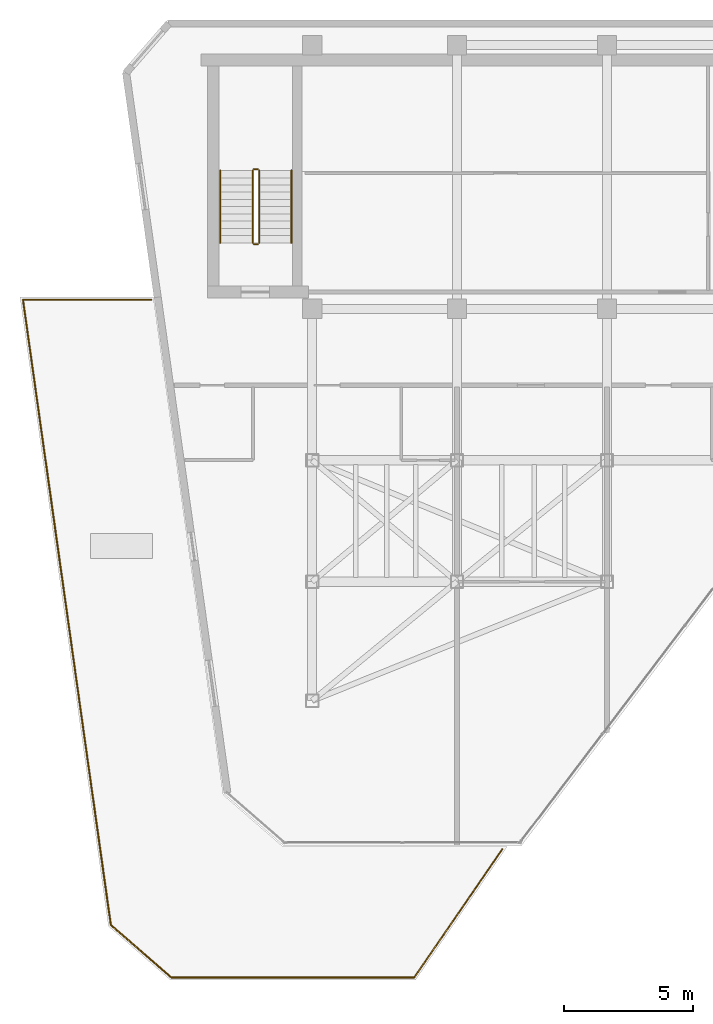
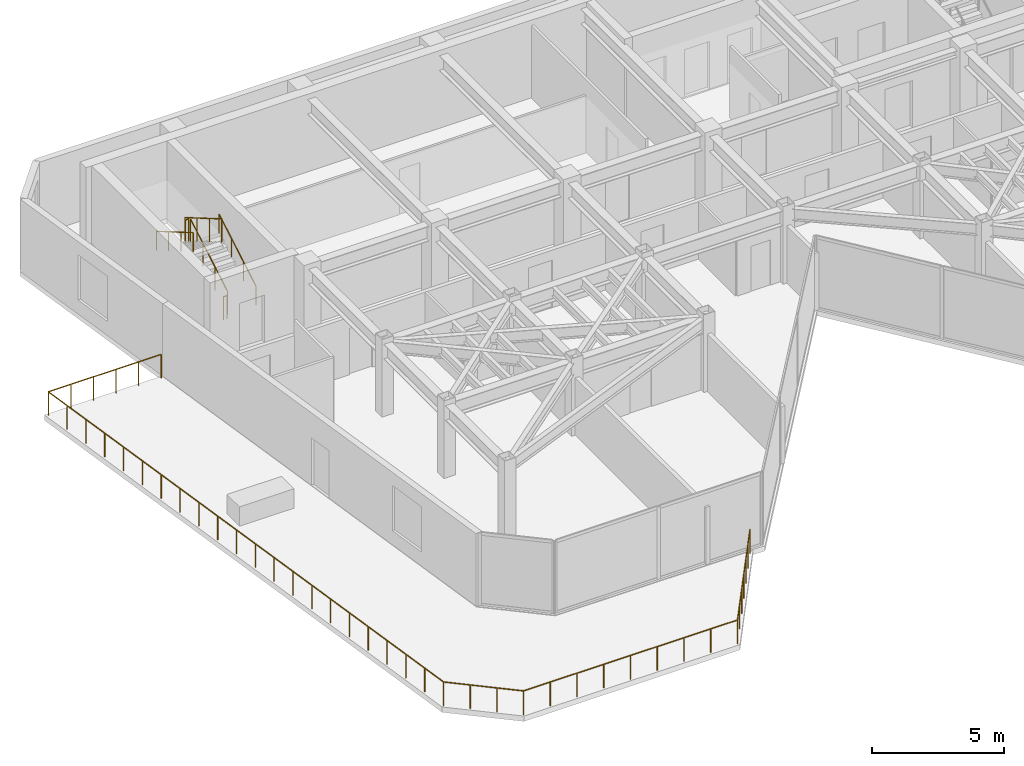
# One storey, part 19 of 21: 11 railings.
"""IFC4 building model written with IfcOpenShell, lengths in metres."""

import ifcopenshell
import ifcopenshell.guid

model = None  # the IFC model being written
_history = None  # IfcOwnerHistory: only IFC2X3 demands one
_inside = {}  # id of a spatial element -> (the spatial element, [elements in it])
_under = {}  # id of a project, library or spatial element -> (it, [spatial elements below it])
_declared = {}  # id of a project -> (the project, [libraries it declares])
_typed = {}  # id of a type object -> (the type object, [elements of that type])
_made_of = {}  # id of a material, layer set ... -> (it, [elements and type objects made of it])


def new_model(schema):
    """Start an empty IFC model of exactly this schema.

    Asked for "IFC4X3", IfcOpenShell would pick the latest addendum, in which some entities
    have other attributes; the version numbers below select the first issue.
    IFC2X3 requires an IfcOwnerHistory on every rooted entity: one is made here for all.
    """
    global model, _history
    if schema == "IFC4X3":
        model = ifcopenshell.file(schema_version=(4, 3, 0, 0))
    else:
        model = ifcopenshell.file(schema=schema)
    _inside.clear()
    _under.clear()
    _declared.clear()
    _typed.clear()
    _made_of.clear()
    _history = None
    if model.schema == "IFC2X3":
        org = make("IfcOrganization", Name="unknown")
        user = make(
            "IfcPersonAndOrganization",
            ThePerson=make("IfcPerson", FamilyName="unknown"),
            TheOrganization=org,
        )
        app = make(
            "IfcApplication",
            ApplicationDeveloper=org,
            Version="unknown",
            ApplicationFullName="unknown",
            ApplicationIdentifier="unknown",
        )
        _history = make(
            "IfcOwnerHistory",
            OwningUser=user,
            OwningApplication=app,
            ChangeAction="ADDED",
            CreationDate=0,
        )
    return model


def make(cls, **values):
    """One entity of the class cls with the attributes given. An attribute that is None is left unset."""
    return model.create_entity(
        cls, **{name: value for name, value in values.items() if value is not None}
    )


def rooted(cls, **values):
    """An entity with a GlobalId (a new one), such as an element, a storey or a relation."""
    return make(cls, GlobalId=ifcopenshell.guid.new(), OwnerHistory=_history, **values)


def si_unit(unit_type, name, prefix=None):
    """IfcSIUnit, for example si_unit("LENGTHUNIT", "METRE", prefix="MILLI")."""
    return make("IfcSIUnit", UnitType=unit_type, Prefix=prefix, Name=name)


def assignment(units):
    """IfcUnitAssignment: the units of a project."""
    return None if units is None else make("IfcUnitAssignment", Units=units)


def point(xyz):
    """IfcCartesianPoint."""
    return None if xyz is None else make("IfcCartesianPoint", Coordinates=xyz)


def direction(xyz):
    """IfcDirection."""
    return None if xyz is None else make("IfcDirection", DirectionRatios=xyz)


def frame(location, z_axis=None, x_axis=None):
    """IfcAxis2Placement3D, a coordinate frame: its origin and axes. An axis left out is left unset."""
    return make(
        "IfcAxis2Placement3D",
        Location=point(location),
        Axis=direction(z_axis),
        RefDirection=direction(x_axis),
    )


def frame_2d(location, x_axis=None):
    """IfcAxis2Placement2D, a coordinate frame in the plane: its origin and x axis."""
    return make(
        "IfcAxis2Placement2D", Location=point(location), RefDirection=direction(x_axis)
    )


def origin():
    """The frame at (0, 0, 0) with its axes left unset."""
    return frame((0.0, 0.0, 0.0))


def origin_2d():
    """The frame at (0, 0) in the plane with its x axis left unset."""
    return frame_2d((0.0, 0.0))


def place(relative_to, where):
    """IfcLocalPlacement: puts the frame where relative to a parent placement (None: the world)."""
    return make(
        "IfcLocalPlacement", PlacementRelTo=relative_to, RelativePlacement=where
    )


def context(
    kind, dimensions, precision=None, world=None, true_north=None, identifier=None
):
    """IfcGeometricRepresentationContext, for example the 3D "Model" context."""
    return make(
        "IfcGeometricRepresentationContext",
        ContextIdentifier=identifier,
        ContextType=kind,
        CoordinateSpaceDimension=dimensions,
        Precision=precision,
        WorldCoordinateSystem=world,
        TrueNorth=true_north,
    )


def subcontext(parent, identifier, kind, view, scale=None):
    """IfcGeometricRepresentationSubContext, for example "Body" below "Model"."""
    return make(
        "IfcGeometricRepresentationSubContext",
        ContextIdentifier=identifier,
        ContextType=kind,
        ParentContext=parent,
        TargetScale=scale,
        TargetView=view,
    )


def project(units=None, contexts=None):
    """IfcProject with its units and contexts."""
    return rooted(
        "IfcProject",
        Name="project",
        RepresentationContexts=contexts,
        UnitsInContext=assignment(units),
    )


def spatial(cls, under=None, at=None, **own):
    """A site, building, storey or space (cls), placed at a placement, below another one or the project."""
    s = rooted(cls, ObjectPlacement=at, **own)
    if under is not None:
        _under.setdefault(under.id(), (under, []))[1].append(s)
    return s


def profile(cls, at=None, kind="AREA", **sizes):
    """A parametric profile (cls). Its sizes go by their IFC names, for example OverallWidth=200.0."""
    return make(cls, ProfileType=kind, Position=at, **sizes)


def circle(**sizes):
    """IfcCircleProfileDef."""
    return profile("IfcCircleProfileDef", **sizes)


def extrude(swept, where, along, depth):
    """IfcExtrudedAreaSolid: the profile swept, set in the frame where, extruded along a direction by depth."""
    return make(
        "IfcExtrudedAreaSolid",
        SweptArea=swept,
        Position=where,
        ExtrudedDirection=direction(along),
        Depth=depth,
    )


def shape(context_of_items, identifier, shape_type, items):
    """IfcShapeRepresentation: the items that make up one representation, for example the "Body"."""
    return make(
        "IfcShapeRepresentation",
        ContextOfItems=context_of_items,
        RepresentationIdentifier=identifier,
        RepresentationType=shape_type,
        Items=items,
    )


def material(Name=None, Category=None):
    """IfcMaterial."""
    return make("IfcMaterial", Name=Name, Category=Category)


def layer(
    of_material, thickness, ventilated=None, Name=None, Category=None, Priority=None
):
    """IfcMaterialLayer: one layer of a wall or slab, of a material (None: an air gap)."""
    return make(
        "IfcMaterialLayer",
        Material=of_material,
        LayerThickness=thickness,
        IsVentilated=ventilated,
        Name=Name,
        Category=Category,
        Priority=Priority,
    )


def layer_set(layers, Name=None):
    """IfcMaterialLayerSet."""
    return make("IfcMaterialLayerSet", MaterialLayers=layers, LayerSetName=Name)


def made_of(thing, what):
    """Note that an element or type object is made of a material, layer set ...; save() writes the relation."""
    if what is not None:
        _made_of.setdefault(what.id(), (what, []))[1].append(thing)
    return thing


def type_object(cls, material=None, **own):
    """A type object (cls), such as IfcWallType, which elements share."""
    return made_of(rooted(cls, **own), material)


def element(
    cls,
    number,
    at=None,
    inside=None,
    cuts=None,
    type_object=None,
    material=None,
    context=None,
    identifier="Body",
    shape_type=None,
    held_by="IfcProductDefinitionShape",
    body=None,
    shapes=None,
    **own,
):
    """One element of the class cls, such as IfcWall. Its Tag is "e" and its number.

    at: its placement. inside: the storey or other place that contains it. cuts: it is an
    opening in that element (IfcRelVoidsElement). A single representation is given by context,
    identifier, shape_type and body (its items); several are given by shapes. held_by: the class
    of the entity that holds the representations. save() writes the other relations.
    """
    e = rooted(cls, Tag="e%d" % number, ObjectPlacement=at, **own)
    if body is not None:
        shapes = [shape(context, identifier, shape_type, body)]
    if shapes is not None:
        e.Representation = make(held_by, Representations=shapes)
    if inside is not None:
        _inside.setdefault(inside.id(), (inside, []))[1].append(e)
    if cuts is not None:
        rooted(
            "IfcRelVoidsElement", RelatingBuildingElement=cuts, RelatedOpeningElement=e
        )
    if type_object is not None:
        _typed.setdefault(type_object.id(), (type_object, []))[1].append(e)
    return made_of(e, material)


def aggregate(whole, parts):
    """IfcRelAggregates: a whole, such as a stair, and the parts it consists of."""
    return rooted("IfcRelAggregates", RelatingObject=whole, RelatedObjects=parts)


def save(model, path):
    """Write the relations noted so far, then the file.

    IfcRelAggregates (storeys below a building ...), IfcRelContainedInSpatialStructure (elements
    in a storey), IfcRelDefinesByType, IfcRelAssociatesMaterial and IfcRelDeclares: one each for
    every whole, place, type object, material and project.
    """
    for whole, parts in _under.values():
        aggregate(whole, parts)
    for where, things in _inside.values():
        rooted(
            "IfcRelContainedInSpatialStructure",
            RelatedElements=things,
            RelatingStructure=where,
        )
    for kind, things in _typed.values():
        rooted("IfcRelDefinesByType", RelatedObjects=things, RelatingType=kind)
    for what, things in _made_of.values():
        rooted("IfcRelAssociatesMaterial", RelatedObjects=things, RelatingMaterial=what)
    for by, libraries in _declared.values():
        rooted("IfcRelDeclares", RelatingContext=by, RelatedDefinitions=libraries)
    model.write(path)


model = new_model("IFC4")

# Units and contexts
model_context = context("Model", 3, precision=1e-05, world=origin(), true_north=direction((0.0, 1.0)))
body_context = subcontext(model_context, "Body", "Model", "MODEL_VIEW")
ifc_project = project(units=[si_unit("LENGTHUNIT", "METRE"), si_unit("AREAUNIT", "SQUARE_METRE"), si_unit("VOLUMEUNIT", "CUBIC_METRE"), si_unit("PLANEANGLEUNIT", "RADIAN"), si_unit("MASSUNIT", "GRAM", prefix="KILO")], contexts=[model_context])

# Site, building, storey
site_placement = place(None, origin())
site = spatial("IfcSite", under=ifc_project, at=site_placement, CompositionType="ELEMENT")
building_placement = place(site_placement, origin())
building = spatial("IfcBuilding", under=site, at=building_placement, Name="Kravanh Interchange Tower", CompositionType="ELEMENT")
storey_placement = place(building_placement, frame((0.0, 0.0, 231.0)))
storey = spatial("IfcBuildingStorey", under=building, at=storey_placement, Name="L55", CompositionType="ELEMENT", Elevation=231.0)

# Railings
ifc_material_1 = material(Name="Stainless Steel 316", Category="steel")
ifc_layer_1 = layer(ifc_material_1, 0.06005859375)
ifc_layer_set_1 = layer_set([ifc_layer_1], Name="Perimeter Balcony and Terrace Guardrail Stainless 316 1120mm")
railing_type_1 = type_object("IfcRailingType", Name="Perimeter Balcony and Terrace Guardrail Stainless 316 1120mm", PredefinedType="GUARDRAIL", material=ifc_layer_set_1)
railing_1_placement = place(storey_placement, frame((21.75146484375, 11.5, 0.0)))
element("IfcRailing", 1, at=railing_1_placement, inside=storey, type_object=railing_type_1, Name="L55 Stepped Terrace Guardrail 1", PredefinedType="GUARDRAIL", context=body_context, shape_type="SweptSolid", body=[
    extrude(circle(Radius=0.02392578125, at=origin_2d()), frame((0.0, 0.0, 1.09619140625), z_axis=(-0.754722683688, 0.656043954874, 0.0), x_axis=(-0.656043954874, -0.754722683688, 0.0)), (0.0, 0.0, 1.0), 3.09521484375),
    extrude(circle(Radius=0.02099609375, at=origin_2d()), origin(), (0.0, 0.0, 1.0), 1.072021484375),
    extrude(circle(Radius=0.02099609375, at=origin_2d()), frame((-0.778564453125, 0.6767578125, 0.0)), (0.0, 0.0, 1.0), 1.072021484375),
    extrude(circle(Radius=0.02099609375, at=origin_2d()), frame((-1.557373046875, 1.353759765625, 0.0)), (0.0, 0.0, 1.0), 1.072021484375),
    extrude(circle(Radius=0.02099609375, at=origin_2d()), frame((-2.3359375, 2.030517578125, 0.0)), (0.0, 0.0, 1.0), 1.072021484375),
])
railing_2_placement = place(storey_placement, frame((19.41552734375, 13.530517578125, 0.0)))
element("IfcRailing", 2, at=railing_2_placement, inside=storey, type_object=railing_type_1, Name="L55 Stepped Terrace Guardrail 2", PredefinedType="GUARDRAIL", context=body_context, shape_type="SweptSolid", body=[
    extrude(circle(Radius=0.02392578125, at=origin_2d()), frame((0.0, 0.0, 1.09619140625), z_axis=(-0.139170535334, 0.990268429313, 0.0), x_axis=(-0.990268429313, -0.139170535334, 0.0)), (0.0, 0.0, 1.0), 24.406982421875),
    extrude(circle(Radius=0.02099609375, at=origin_2d()), origin(), (0.0, 0.0, 1.0), 1.072021484375),
    extrude(circle(Radius=0.02099609375, at=origin_2d()), frame((-0.161865234375, 1.15087890625, 0.0)), (0.0, 0.0, 1.0), 1.072021484375),
    extrude(circle(Radius=0.02099609375, at=origin_2d()), frame((-0.323486328125, 2.3017578125, 0.0)), (0.0, 0.0, 1.0), 1.072021484375),
    extrude(circle(Radius=0.02099609375, at=origin_2d()), frame((-0.4853515625, 3.452880859375, 0.0)), (0.0, 0.0, 1.0), 1.072021484375),
    extrude(circle(Radius=0.02099609375, at=origin_2d()), frame((-0.64697265625, 4.603759765625, 0.0)), (0.0, 0.0, 1.0), 1.072021484375),
    extrude(circle(Radius=0.02099609375, at=origin_2d()), frame((-0.808837890625, 5.754638671875, 0.0)), (0.0, 0.0, 1.0), 1.072021484375),
    extrude(circle(Radius=0.02099609375, at=origin_2d()), frame((-0.970458984375, 6.905517578125, 0.0)), (0.0, 0.0, 1.0), 1.072021484375),
    extrude(circle(Radius=0.02099609375, at=origin_2d()), frame((-1.13232421875, 8.056396484375, 0.0)), (0.0, 0.0, 1.0), 1.072021484375),
    extrude(circle(Radius=0.02099609375, at=origin_2d()), frame((-1.2939453125, 9.20751953125, 0.0)), (0.0, 0.0, 1.0), 1.072021484375),
    extrude(circle(Radius=0.02099609375, at=origin_2d()), frame((-1.455810546875, 10.3583984375, 0.0)), (0.0, 0.0, 1.0), 1.072021484375),
    extrude(circle(Radius=0.02099609375, at=origin_2d()), frame((-1.617431640625, 11.50927734375, 0.0)), (0.0, 0.0, 1.0), 1.072021484375),
    extrude(circle(Radius=0.02099609375, at=origin_2d()), frame((-1.779296875, 12.66015625, 0.0)), (0.0, 0.0, 1.0), 1.072021484375),
    extrude(circle(Radius=0.02099609375, at=origin_2d()), frame((-1.94091796875, 13.81103515625, 0.0)), (0.0, 0.0, 1.0), 1.072021484375),
    extrude(circle(Radius=0.02099609375, at=origin_2d()), frame((-2.102783203125, 14.9619140625, 0.0)), (0.0, 0.0, 1.0), 1.072021484375),
    extrude(circle(Radius=0.02099609375, at=origin_2d()), frame((-2.264404296875, 16.113037109375, 0.0)), (0.0, 0.0, 1.0), 1.072021484375),
    extrude(circle(Radius=0.02099609375, at=origin_2d()), frame((-2.42626953125, 17.263916015625, 0.0)), (0.0, 0.0, 1.0), 1.072021484375),
    extrude(circle(Radius=0.02099609375, at=origin_2d()), frame((-2.587890625, 18.414794921875, 0.0)), (0.0, 0.0, 1.0), 1.072021484375),
    extrude(circle(Radius=0.02099609375, at=origin_2d()), frame((-2.749755859375, 19.565673828125, 0.0)), (0.0, 0.0, 1.0), 1.072021484375),
    extrude(circle(Radius=0.02099609375, at=origin_2d()), frame((-2.911376953125, 20.716552734375, 0.0)), (0.0, 0.0, 1.0), 1.072021484375),
    extrude(circle(Radius=0.02099609375, at=origin_2d()), frame((-3.0732421875, 21.86767578125, 0.0)), (0.0, 0.0, 1.0), 1.072021484375),
    extrude(circle(Radius=0.02099609375, at=origin_2d()), frame((-3.23486328125, 23.0185546875, 0.0)), (0.0, 0.0, 1.0), 1.072021484375),
    extrude(circle(Radius=0.02099609375, at=origin_2d()), frame((-3.396728515625, 24.16943359375, 0.0)), (0.0, 0.0, 1.0), 1.072021484375),
])
railing_3_placement = place(storey_placement, frame((16.018798828125, 37.699951171875, 0.0)))
element("IfcRailing", 3, at=railing_3_placement, inside=storey, type_object=railing_type_1, Name="L55 Stepped Terrace Guardrail 3", PredefinedType="GUARDRAIL", context=body_context, shape_type="SweptSolid", body=[
    extrude(circle(Radius=0.02392578125, at=origin_2d()), frame((0.0, 0.0, 1.09619140625), z_axis=(1.0, 0.0, 0.0), x_axis=(0.0, 1.0, 0.0)), (0.0, 0.0, 1.0), 4.957763671875),
    extrude(circle(Radius=0.02099609375, at=origin_2d()), origin(), (0.0, 0.0, 1.0), 1.072021484375),
    extrude(circle(Radius=0.02099609375, at=origin_2d()), frame((0.991455078125, 0.0, 0.0)), (0.0, 0.0, 1.0), 1.072021484375),
    extrude(circle(Radius=0.02099609375, at=origin_2d()), frame((1.983154296875, 0.0, 0.0)), (0.0, 0.0, 1.0), 1.072021484375),
    extrude(circle(Radius=0.02099609375, at=origin_2d()), frame((2.974609375, 0.0, 0.0)), (0.0, 0.0, 1.0), 1.072021484375),
    extrude(circle(Radius=0.02099609375, at=origin_2d()), frame((3.96630859375, 0.0, 0.0)), (0.0, 0.0, 1.0), 1.072021484375),
    extrude(circle(Radius=0.02099609375, at=origin_2d()), frame((4.957763671875, 0.0, 0.0)), (0.0, 0.0, 1.0), 1.072021484375),
])
railing_4_placement = place(storey_placement, frame((34.557373046875, 16.4599609375, 0.0)))
element("IfcRailing", 4, at=railing_4_placement, inside=storey, type_object=railing_type_1, Name="L55 Stepped Terrace Guardrail 7", PredefinedType="GUARDRAIL", context=body_context, shape_type="SweptSolid", body=[
    extrude(circle(Radius=0.02392578125, at=origin_2d()), frame((0.0, 0.0, 1.09619140625), z_axis=(-0.566521937102, -0.824046658134, 0.0), x_axis=(0.824046658134, -0.566521937102, 0.0)), (0.0, 0.0, 1.0), 6.01904296875),
    extrude(circle(Radius=0.02099609375, at=origin_2d()), origin(), (0.0, 0.0, 1.0), 1.072021484375),
    extrude(circle(Radius=0.02099609375, at=origin_2d()), frame((-0.568359375, -0.82666015625, 0.0)), (0.0, 0.0, 1.0), 1.072021484375),
    extrude(circle(Radius=0.02099609375, at=origin_2d()), frame((-1.13671875, -1.6533203125, 0.0)), (0.0, 0.0, 1.0), 1.072021484375),
    extrude(circle(Radius=0.02099609375, at=origin_2d()), frame((-1.705078125, -2.47998046875, 0.0)), (0.0, 0.0, 1.0), 1.072021484375),
    extrude(circle(Radius=0.02099609375, at=origin_2d()), frame((-2.273193359375, -3.306640625, 0.0)), (0.0, 0.0, 1.0), 1.072021484375),
    extrude(circle(Radius=0.02099609375, at=origin_2d()), frame((-2.841552734375, -4.13330078125, 0.0)), (0.0, 0.0, 1.0), 1.072021484375),
    extrude(circle(Radius=0.02099609375, at=origin_2d()), frame((-3.409912109375, -4.9599609375, 0.0)), (0.0, 0.0, 1.0), 1.072021484375),
])
railing_5_placement = place(storey_placement, frame((31.1474609375, 11.5, 0.0)))
element("IfcRailing", 5, at=railing_5_placement, inside=storey, type_object=railing_type_1, Name="L55 Stepped Terrace Guardrail 8", PredefinedType="GUARDRAIL", context=body_context, shape_type="SweptSolid", body=[
    extrude(circle(Radius=0.02392578125, at=origin_2d()), frame((0.0, 0.0, 1.09619140625), z_axis=(-1.0, 0.0, 0.0), x_axis=(0.0, -1.0, 0.0)), (0.0, 0.0, 1.0), 9.39599609375),
    extrude(circle(Radius=0.02099609375, at=origin_2d()), origin(), (0.0, 0.0, 1.0), 1.072021484375),
    extrude(circle(Radius=0.02099609375, at=origin_2d()), frame((-1.174560546875, 0.0, 0.0)), (0.0, 0.0, 1.0), 1.072021484375),
    extrude(circle(Radius=0.02099609375, at=origin_2d()), frame((-2.34912109375, 0.0, 0.0)), (0.0, 0.0, 1.0), 1.072021484375),
    extrude(circle(Radius=0.02099609375, at=origin_2d()), frame((-3.5234375, 0.0, 0.0)), (0.0, 0.0, 1.0), 1.072021484375),
    extrude(circle(Radius=0.02099609375, at=origin_2d()), frame((-4.697998046875, 0.0, 0.0)), (0.0, 0.0, 1.0), 1.072021484375),
    extrude(circle(Radius=0.02099609375, at=origin_2d()), frame((-5.87255859375, 0.0, 0.0)), (0.0, 0.0, 1.0), 1.072021484375),
    extrude(circle(Radius=0.02099609375, at=origin_2d()), frame((-7.046875, 0.0, 0.0)), (0.0, 0.0, 1.0), 1.072021484375),
    extrude(circle(Radius=0.02099609375, at=origin_2d()), frame((-8.221435546875, 0.0, 0.0)), (0.0, 0.0, 1.0), 1.072021484375),
    extrude(circle(Radius=0.02099609375, at=origin_2d()), frame((-9.39599609375, 0.0, 0.0)), (0.0, 0.0, 1.0), 1.072021484375),
])
ifc_material_2 = material(Name="Structural Steel S355", Category="steel")
ifc_layer_2 = layer(ifc_material_2, 0.050048828125)
ifc_layer_set_2 = layer_set([ifc_layer_2], Name="Stair Well Guardrail Structural Steel S355 1100mm")
railing_type_2 = type_object("IfcRailingType", Name="Stair Well Guardrail Structural Steel S355 1100mm", PredefinedType="GUARDRAIL", material=ifc_layer_set_2)
railing_6_placement = place(storey_placement, frame((25.14990234375, 39.89990234375, 0.16357421875)))
element("IfcRailing", 6, at=railing_6_placement, inside=storey, type_object=railing_type_2, Name="L55 ST3 stair guard 1", PredefinedType="GUARDRAIL", context=body_context, shape_type="SweptSolid", body=[
    extrude(circle(Radius=0.02392578125, at=origin_2d()), frame((0.0, 0.0, 1.076171875), z_axis=(0.0, 0.863360870873, 0.504586966384), x_axis=(-1.0, 0.0, 0.0)), (0.0, 0.0, 1.0), 3.2431640625),
    extrude(circle(Radius=0.02099609375, at=origin_2d()), origin(), (0.0, 0.0, 1.0), 1.052001953125),
    extrude(circle(Radius=0.02099609375, at=origin_2d()), frame((0.0, 0.933349609375, 0.54541015625)), (0.0, 0.0, 1.0), 1.052001953125),
    extrude(circle(Radius=0.02099609375, at=origin_2d()), frame((0.0, 1.86669921875, 1.091064453125)), (0.0, 0.0, 1.0), 1.052001953125),
    extrude(circle(Radius=0.02099609375, at=origin_2d()), frame((0.0, 2.800048828125, 1.636474609375)), (0.0, 0.0, 1.0), 1.052001953125),
])
railing_7_placement = place(storey_placement, frame((25.10009765625, 42.75, 1.800048828125)))
element("IfcRailing", 7, at=railing_7_placement, inside=storey, type_object=railing_type_2, Name="L55 ST3 stair guard 2", PredefinedType="GUARDRAIL", context=body_context, shape_type="SweptSolid", body=[
    extrude(circle(Radius=0.02392578125, at=origin_2d()), frame((0.0, 0.0, 1.076171875), z_axis=(-1.0, 0.0, 0.0), x_axis=(0.0, -1.0, 0.0)), (0.0, 0.0, 1.0), 0.150146484375),
    extrude(circle(Radius=0.02099609375, at=origin_2d()), origin(), (0.0, 0.0, 1.0), 1.052001953125),
    extrude(circle(Radius=0.02099609375, at=origin_2d()), frame((-0.150146484375, 0.0, 0.0)), (0.0, 0.0, 1.0), 1.052001953125),
])
railing_8_placement = place(storey_placement, frame((24.89990234375, 42.699951171875, 1.963623046875)))
element("IfcRailing", 8, at=railing_8_placement, inside=storey, type_object=railing_type_2, Name="L55 ST3 stair guard 3", PredefinedType="GUARDRAIL", context=body_context, shape_type="SweptSolid", body=[
    extrude(circle(Radius=0.02392578125, at=origin_2d()), frame((0.0, 0.0, 1.076171875), z_axis=(0.0, -0.863360870873, 0.504586966384), x_axis=(1.0, 0.0, 0.0)), (0.0, 0.0, 1.0), 3.2431640625),
    extrude(circle(Radius=0.02099609375, at=origin_2d()), origin(), (0.0, 0.0, 1.0), 1.052001953125),
    extrude(circle(Radius=0.02099609375, at=origin_2d()), frame((0.0, -0.933349609375, 0.54541015625)), (0.0, 0.0, 1.0), 1.052001953125),
    extrude(circle(Radius=0.02099609375, at=origin_2d()), frame((0.0, -1.86669921875, 1.091064453125)), (0.0, 0.0, 1.0), 1.052001953125),
    extrude(circle(Radius=0.02099609375, at=origin_2d()), frame((0.0, -2.800048828125, 1.636474609375)), (0.0, 0.0, 1.0), 1.052001953125),
])
railing_9_placement = place(storey_placement, frame((25.10009765625, 39.85009765625, 0.0)))
element("IfcRailing", 9, at=railing_9_placement, inside=storey, type_object=railing_type_2, Name="L55 ST3 stair guard 4", PredefinedType="GUARDRAIL", context=body_context, shape_type="SweptSolid", body=[
    extrude(circle(Radius=0.02392578125, at=origin_2d()), frame((0.0, 0.0, 1.076171875), z_axis=(-1.0, 0.0, 0.0), x_axis=(0.0, -1.0, 0.0)), (0.0, 0.0, 1.0), 0.150146484375),
    extrude(circle(Radius=0.02099609375, at=origin_2d()), origin(), (0.0, 0.0, 1.0), 1.052001953125),
    extrude(circle(Radius=0.02099609375, at=origin_2d()), frame((-0.150146484375, 0.0, 0.0)), (0.0, 0.0, 1.0), 1.052001953125),
])
ifc_material_3 = material(Name="Stainless Steel 304", Category="steel")
ifc_layer_3 = layer(ifc_material_3, 0.044921875)
ifc_layer_set_3 = layer_set([ifc_layer_3], Name="Tubular Stair Handrail Stainless 304 900mm")
railing_type_3 = type_object("IfcRailingType", Name="Tubular Stair Handrail Stainless 304 900mm", PredefinedType="HANDRAIL", material=ifc_layer_set_3)
railing_10_placement = place(storey_placement, frame((26.39990234375, 39.89990234375, 0.16357421875)))
element("IfcRailing", 10, at=railing_10_placement, inside=storey, type_object=railing_type_3, Name="L55 ST3 stair handrail 1", PredefinedType="HANDRAIL", context=body_context, shape_type="SweptSolid", body=[
    extrude(circle(Radius=0.02392578125, at=origin_2d()), frame((0.0, 0.0, 0.8759765625), z_axis=(0.0, 0.863360870873, 0.504586966384), x_axis=(-1.0, 0.0, 0.0)), (0.0, 0.0, 1.0), 3.2431640625),
    extrude(circle(Radius=0.02099609375, at=origin_2d()), origin(), (0.0, 0.0, 1.0), 0.851806640625),
    extrude(circle(Radius=0.02099609375, at=origin_2d()), frame((0.0, 0.933349609375, 0.54541015625)), (0.0, 0.0, 1.0), 0.851806640625),
    extrude(circle(Radius=0.02099609375, at=origin_2d()), frame((0.0, 1.86669921875, 1.091064453125)), (0.0, 0.0, 1.0), 0.851806640625),
    extrude(circle(Radius=0.02099609375, at=origin_2d()), frame((0.0, 2.800048828125, 1.636474609375)), (0.0, 0.0, 1.0), 0.851806640625),
])
railing_11_placement = place(storey_placement, frame((23.64990234375, 42.699951171875, 1.963623046875)))
element("IfcRailing", 11, at=railing_11_placement, inside=storey, type_object=railing_type_3, Name="L55 ST3 stair handrail 2", PredefinedType="HANDRAIL", context=body_context, shape_type="SweptSolid", body=[
    extrude(circle(Radius=0.02392578125, at=origin_2d()), frame((0.0, 0.0, 0.8759765625), z_axis=(0.0, -0.863360870873, 0.504586966384), x_axis=(1.0, 0.0, 0.0)), (0.0, 0.0, 1.0), 3.2431640625),
    extrude(circle(Radius=0.02099609375, at=origin_2d()), origin(), (0.0, 0.0, 1.0), 0.851806640625),
    extrude(circle(Radius=0.02099609375, at=origin_2d()), frame((0.0, -0.933349609375, 0.54541015625)), (0.0, 0.0, 1.0), 0.851806640625),
    extrude(circle(Radius=0.02099609375, at=origin_2d()), frame((0.0, -1.86669921875, 1.091064453125)), (0.0, 0.0, 1.0), 0.851806640625),
    extrude(circle(Radius=0.02099609375, at=origin_2d()), frame((0.0, -2.800048828125, 1.636474609375)), (0.0, 0.0, 1.0), 0.851806640625),
])

save(model, "model.ifc")
